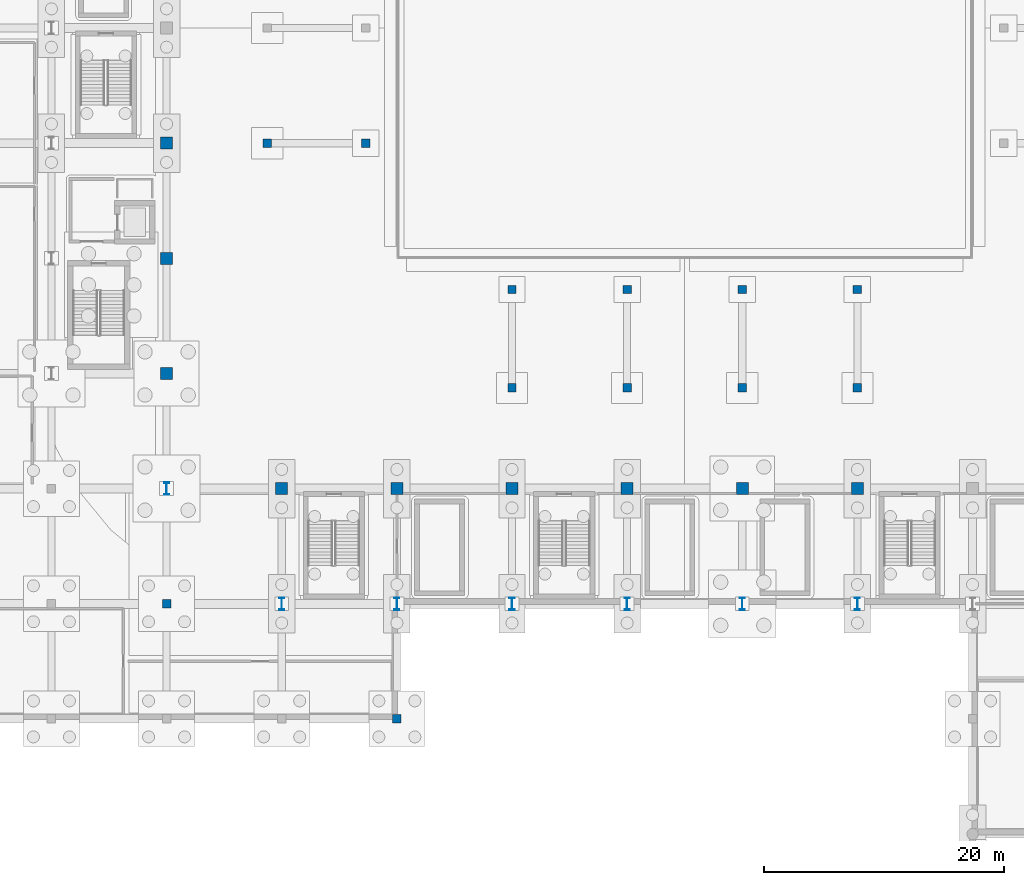
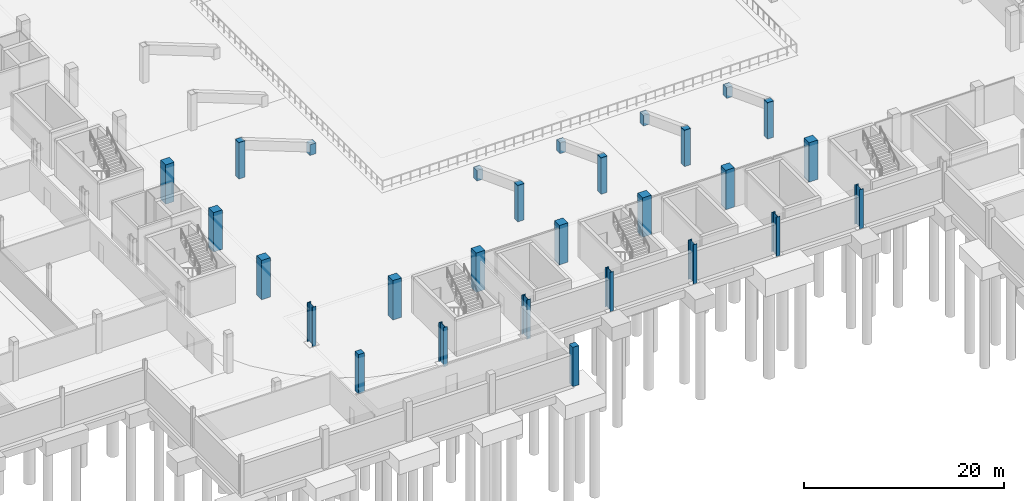
# One storey, part 16 of 67: 28 columns.
"""IFC4 building model written with IfcOpenShell, lengths in metres."""

import ifcopenshell
import ifcopenshell.guid

model = None  # the IFC model being written
_history = None  # IfcOwnerHistory: only IFC2X3 demands one
_inside = {}  # id of a spatial element -> (the spatial element, [elements in it])
_under = {}  # id of a project, library or spatial element -> (it, [spatial elements below it])
_declared = {}  # id of a project -> (the project, [libraries it declares])
_typed = {}  # id of a type object -> (the type object, [elements of that type])
_made_of = {}  # id of a material, layer set ... -> (it, [elements and type objects made of it])


def new_model(schema):
    """Start an empty IFC model of exactly this schema.

    Asked for "IFC4X3", IfcOpenShell would pick the latest addendum, in which some entities
    have other attributes; the version numbers below select the first issue.
    IFC2X3 requires an IfcOwnerHistory on every rooted entity: one is made here for all.
    """
    global model, _history
    if schema == "IFC4X3":
        model = ifcopenshell.file(schema_version=(4, 3, 0, 0))
    else:
        model = ifcopenshell.file(schema=schema)
    _inside.clear()
    _under.clear()
    _declared.clear()
    _typed.clear()
    _made_of.clear()
    _history = None
    if model.schema == "IFC2X3":
        org = make("IfcOrganization", Name="unknown")
        user = make(
            "IfcPersonAndOrganization",
            ThePerson=make("IfcPerson", FamilyName="unknown"),
            TheOrganization=org,
        )
        app = make(
            "IfcApplication",
            ApplicationDeveloper=org,
            Version="unknown",
            ApplicationFullName="unknown",
            ApplicationIdentifier="unknown",
        )
        _history = make(
            "IfcOwnerHistory",
            OwningUser=user,
            OwningApplication=app,
            ChangeAction="ADDED",
            CreationDate=0,
        )
    return model


def make(cls, **values):
    """One entity of the class cls with the attributes given. An attribute that is None is left unset."""
    return model.create_entity(
        cls, **{name: value for name, value in values.items() if value is not None}
    )


def rooted(cls, **values):
    """An entity with a GlobalId (a new one), such as an element, a storey or a relation."""
    return make(cls, GlobalId=ifcopenshell.guid.new(), OwnerHistory=_history, **values)


def si_unit(unit_type, name, prefix=None):
    """IfcSIUnit, for example si_unit("LENGTHUNIT", "METRE", prefix="MILLI")."""
    return make("IfcSIUnit", UnitType=unit_type, Prefix=prefix, Name=name)


def assignment(units):
    """IfcUnitAssignment: the units of a project."""
    return None if units is None else make("IfcUnitAssignment", Units=units)


def point(xyz):
    """IfcCartesianPoint."""
    return None if xyz is None else make("IfcCartesianPoint", Coordinates=xyz)


def direction(xyz):
    """IfcDirection."""
    return None if xyz is None else make("IfcDirection", DirectionRatios=xyz)


def frame(location, z_axis=None, x_axis=None):
    """IfcAxis2Placement3D, a coordinate frame: its origin and axes. An axis left out is left unset."""
    return make(
        "IfcAxis2Placement3D",
        Location=point(location),
        Axis=direction(z_axis),
        RefDirection=direction(x_axis),
    )


def frame_2d(location, x_axis=None):
    """IfcAxis2Placement2D, a coordinate frame in the plane: its origin and x axis."""
    return make(
        "IfcAxis2Placement2D", Location=point(location), RefDirection=direction(x_axis)
    )


def origin():
    """The frame at (0, 0, 0) with its axes left unset."""
    return frame((0.0, 0.0, 0.0))


def origin_2d():
    """The frame at (0, 0) in the plane with its x axis left unset."""
    return frame_2d((0.0, 0.0))


def place(relative_to, where):
    """IfcLocalPlacement: puts the frame where relative to a parent placement (None: the world)."""
    return make(
        "IfcLocalPlacement", PlacementRelTo=relative_to, RelativePlacement=where
    )


def context(
    kind, dimensions, precision=None, world=None, true_north=None, identifier=None
):
    """IfcGeometricRepresentationContext, for example the 3D "Model" context."""
    return make(
        "IfcGeometricRepresentationContext",
        ContextIdentifier=identifier,
        ContextType=kind,
        CoordinateSpaceDimension=dimensions,
        Precision=precision,
        WorldCoordinateSystem=world,
        TrueNorth=true_north,
    )


def subcontext(parent, identifier, kind, view, scale=None):
    """IfcGeometricRepresentationSubContext, for example "Body" below "Model"."""
    return make(
        "IfcGeometricRepresentationSubContext",
        ContextIdentifier=identifier,
        ContextType=kind,
        ParentContext=parent,
        TargetScale=scale,
        TargetView=view,
    )


def project(units=None, contexts=None):
    """IfcProject with its units and contexts."""
    return rooted(
        "IfcProject",
        Name="project",
        RepresentationContexts=contexts,
        UnitsInContext=assignment(units),
    )


def spatial(cls, under=None, at=None, **own):
    """A site, building, storey or space (cls), placed at a placement, below another one or the project."""
    s = rooted(cls, ObjectPlacement=at, **own)
    if under is not None:
        _under.setdefault(under.id(), (under, []))[1].append(s)
    return s


def profile(cls, at=None, kind="AREA", **sizes):
    """A parametric profile (cls). Its sizes go by their IFC names, for example OverallWidth=200.0."""
    return make(cls, ProfileType=kind, Position=at, **sizes)


def rectangle(**sizes):
    """IfcRectangleProfileDef."""
    return profile("IfcRectangleProfileDef", **sizes)


def i_section(**sizes):
    """IfcIShapeProfileDef."""
    return profile("IfcIShapeProfileDef", **sizes)


def extrude(swept, where, along, depth):
    """IfcExtrudedAreaSolid: the profile swept, set in the frame where, extruded along a direction by depth."""
    return make(
        "IfcExtrudedAreaSolid",
        SweptArea=swept,
        Position=where,
        ExtrudedDirection=direction(along),
        Depth=depth,
    )


def shape(context_of_items, identifier, shape_type, items):
    """IfcShapeRepresentation: the items that make up one representation, for example the "Body"."""
    return make(
        "IfcShapeRepresentation",
        ContextOfItems=context_of_items,
        RepresentationIdentifier=identifier,
        RepresentationType=shape_type,
        Items=items,
    )


def material(Name=None, Category=None):
    """IfcMaterial."""
    return make("IfcMaterial", Name=Name, Category=Category)


def material_profile(
    of_material, cross_section, Name=None, Category=None, Priority=None
):
    """IfcMaterialProfile: a cross section and its material."""
    return make(
        "IfcMaterialProfile",
        Name=Name,
        Material=of_material,
        Profile=cross_section,
        Priority=Priority,
        Category=Category,
    )


def profile_set(profiles, Name=None, composite=None):
    """IfcMaterialProfileSet."""
    return make(
        "IfcMaterialProfileSet",
        Name=Name,
        MaterialProfiles=profiles,
        CompositeProfile=composite,
    )


def made_of(thing, what):
    """Note that an element or type object is made of a material, layer set ...; save() writes the relation."""
    if what is not None:
        _made_of.setdefault(what.id(), (what, []))[1].append(thing)
    return thing


def type_object(cls, material=None, **own):
    """A type object (cls), such as IfcWallType, which elements share."""
    return made_of(rooted(cls, **own), material)


def element(
    cls,
    number,
    at=None,
    inside=None,
    cuts=None,
    type_object=None,
    material=None,
    context=None,
    identifier="Body",
    shape_type=None,
    held_by="IfcProductDefinitionShape",
    body=None,
    shapes=None,
    **own,
):
    """One element of the class cls, such as IfcWall. Its Tag is "e" and its number.

    at: its placement. inside: the storey or other place that contains it. cuts: it is an
    opening in that element (IfcRelVoidsElement). A single representation is given by context,
    identifier, shape_type and body (its items); several are given by shapes. held_by: the class
    of the entity that holds the representations. save() writes the other relations.
    """
    e = rooted(cls, Tag="e%d" % number, ObjectPlacement=at, **own)
    if body is not None:
        shapes = [shape(context, identifier, shape_type, body)]
    if shapes is not None:
        e.Representation = make(held_by, Representations=shapes)
    if inside is not None:
        _inside.setdefault(inside.id(), (inside, []))[1].append(e)
    if cuts is not None:
        rooted(
            "IfcRelVoidsElement", RelatingBuildingElement=cuts, RelatedOpeningElement=e
        )
    if type_object is not None:
        _typed.setdefault(type_object.id(), (type_object, []))[1].append(e)
    return made_of(e, material)


def aggregate(whole, parts):
    """IfcRelAggregates: a whole, such as a stair, and the parts it consists of."""
    return rooted("IfcRelAggregates", RelatingObject=whole, RelatedObjects=parts)


def save(model, path):
    """Write the relations noted so far, then the file.

    IfcRelAggregates (storeys below a building ...), IfcRelContainedInSpatialStructure (elements
    in a storey), IfcRelDefinesByType, IfcRelAssociatesMaterial and IfcRelDeclares: one each for
    every whole, place, type object, material and project.
    """
    for whole, parts in _under.values():
        aggregate(whole, parts)
    for where, things in _inside.values():
        rooted(
            "IfcRelContainedInSpatialStructure",
            RelatedElements=things,
            RelatingStructure=where,
        )
    for kind, things in _typed.values():
        rooted("IfcRelDefinesByType", RelatedObjects=things, RelatingType=kind)
    for what, things in _made_of.values():
        rooted("IfcRelAssociatesMaterial", RelatedObjects=things, RelatingMaterial=what)
    for by, libraries in _declared.values():
        rooted("IfcRelDeclares", RelatingContext=by, RelatedDefinitions=libraries)
    model.write(path)


model = new_model("IFC4")

# Units and contexts
model_context = context("Model", 3, precision=1e-05, world=origin(), true_north=direction((0.0, 1.0)))
body_context = subcontext(model_context, "Body", "Model", "MODEL_VIEW")
ifc_project = project(units=[si_unit("LENGTHUNIT", "METRE"), si_unit("AREAUNIT", "SQUARE_METRE"), si_unit("VOLUMEUNIT", "CUBIC_METRE"), si_unit("PLANEANGLEUNIT", "RADIAN"), si_unit("MASSUNIT", "GRAM", prefix="KILO")], contexts=[model_context])

# Site, building, storey
site_placement = place(None, origin())
site = spatial("IfcSite", under=ifc_project, at=site_placement, CompositionType="ELEMENT")
building_placement = place(site_placement, origin())
building = spatial("IfcBuilding", under=site, at=building_placement, Name="Caelomonte Colonnade Arena", CompositionType="ELEMENT")
storey_placement = place(building_placement, frame((0.0, 0.0, -4.800048828125)))
storey = spatial("IfcBuildingStorey", under=building, at=storey_placement, Name="B1", CompositionType="ELEMENT", Elevation=-4.800048828125)

# Columns
ifc_material_1 = material(Name="Concrete C40/50", Category="concrete")
ifc_material_profile_1 = material_profile(ifc_material_1, rectangle(XDim=0.699951171875, YDim=0.699951171875, at=origin_2d()), Name="RC700X700")
ifc_profile_set_1 = profile_set([ifc_material_profile_1], Name="Concrete C40/50")
column_type_1 = type_object("IfcColumnType", Name="STR-COL-RC07", PredefinedType="COLUMN", material=ifc_profile_set_1)
for number, where, z_axis, x_axis, name in (
    (1, (67.199951171875, 19.199951171875, 0.0), (0.0, 0.0, 1.0), (1.0, 0.0, 0.0), "B1 column (67.2, 19.2)"),
    (2, (86.39990234375, 9.60009765625, 0.0), (0.0, 0.0, 1.0), (1.0, 0.0, 0.0), "B1 column (86.4, 9.6)"),
):
    element("IfcColumn", number, at=place(storey_placement, frame(where, z_axis=z_axis, x_axis=x_axis)), inside=storey, type_object=column_type_1, Name=name, PredefinedType="COLUMN", context=body_context, shape_type="SweptSolid", body=[
        extrude(rectangle(XDim=0.699951171875, YDim=0.699951171875, at=origin_2d()), origin(), (0.0, 0.0, 1.0), 4.800048828125),
    ])
column_1_placement = place(storey_placement, frame((96.0, 45.39990234375, 0.0), z_axis=(0.0, 0.0, 1.0), x_axis=(1.0, 0.0, 0.0)))
element("IfcColumn", 3, at=column_1_placement, inside=storey, type_object=column_type_1, Name="Lower raker inner pier S-96", PredefinedType="COLUMN", context=body_context, shape_type="SweptSolid", body=[
    extrude(rectangle(XDim=0.699951171875, YDim=0.699951171875, at=origin_2d()), origin(), (0.0, 0.0, 1.0), 1.300048828125),
])
column_2_placement = place(storey_placement, frame((96.0, 37.199951171875, 0.0), z_axis=(0.0, 0.0, 1.0), x_axis=(1.0, 0.0, 0.0)))
element("IfcColumn", 4, at=column_2_placement, inside=storey, type_object=column_type_1, Name="Lower raker mid pier S-96", PredefinedType="COLUMN", context=body_context, shape_type="SweptSolid", body=[
    extrude(rectangle(XDim=0.699951171875, YDim=0.699951171875, at=origin_2d()), origin(), (0.0, 0.0, 1.0), 4.449951171875),
])
column_3_placement = place(storey_placement, frame((105.60009765625, 45.39990234375, 0.0), z_axis=(0.0, 0.0, 1.0), x_axis=(1.0, 0.0, 0.0)))
element("IfcColumn", 5, at=column_3_placement, inside=storey, type_object=column_type_1, Name="Lower raker inner pier S-105", PredefinedType="COLUMN", context=body_context, shape_type="SweptSolid", body=[
    extrude(rectangle(XDim=0.699951171875, YDim=0.699951171875, at=origin_2d()), origin(), (0.0, 0.0, 1.0), 1.300048828125),
])
column_4_placement = place(storey_placement, frame((105.60009765625, 37.199951171875, 0.0), z_axis=(0.0, 0.0, 1.0), x_axis=(1.0, 0.0, 0.0)))
element("IfcColumn", 6, at=column_4_placement, inside=storey, type_object=column_type_1, Name="Lower raker mid pier S-105", PredefinedType="COLUMN", context=body_context, shape_type="SweptSolid", body=[
    extrude(rectangle(XDim=0.699951171875, YDim=0.699951171875, at=origin_2d()), origin(), (0.0, 0.0, 1.0), 4.449951171875),
])
column_5_placement = place(storey_placement, frame((115.199951171875, 45.39990234375, 0.0), z_axis=(0.0, 0.0, 1.0), x_axis=(1.0, 0.0, 0.0)))
element("IfcColumn", 7, at=column_5_placement, inside=storey, type_object=column_type_1, Name="Lower raker inner pier S-115", PredefinedType="COLUMN", context=body_context, shape_type="SweptSolid", body=[
    extrude(rectangle(XDim=0.699951171875, YDim=0.699951171875, at=origin_2d()), origin(), (0.0, 0.0, 1.0), 1.300048828125),
])
column_6_placement = place(storey_placement, frame((115.199951171875, 37.199951171875, 0.0), z_axis=(0.0, 0.0, 1.0), x_axis=(1.0, 0.0, 0.0)))
element("IfcColumn", 8, at=column_6_placement, inside=storey, type_object=column_type_1, Name="Lower raker mid pier S-115", PredefinedType="COLUMN", context=body_context, shape_type="SweptSolid", body=[
    extrude(rectangle(XDim=0.699951171875, YDim=0.699951171875, at=origin_2d()), origin(), (0.0, 0.0, 1.0), 4.449951171875),
])
column_7_placement = place(storey_placement, frame((124.800048828125, 45.39990234375, 0.0), z_axis=(0.0, 0.0, 1.0), x_axis=(1.0, 0.0, 0.0)))
element("IfcColumn", 9, at=column_7_placement, inside=storey, type_object=column_type_1, Name="Lower raker inner pier S-124", PredefinedType="COLUMN", context=body_context, shape_type="SweptSolid", body=[
    extrude(rectangle(XDim=0.699951171875, YDim=0.699951171875, at=origin_2d()), origin(), (0.0, 0.0, 1.0), 1.300048828125),
])
column_8_placement = place(storey_placement, frame((124.800048828125, 37.199951171875, 0.0), z_axis=(0.0, 0.0, 1.0), x_axis=(1.0, 0.0, 0.0)))
element("IfcColumn", 10, at=column_8_placement, inside=storey, type_object=column_type_1, Name="Lower raker mid pier S-124", PredefinedType="COLUMN", context=body_context, shape_type="SweptSolid", body=[
    extrude(rectangle(XDim=0.699951171875, YDim=0.699951171875, at=origin_2d()), origin(), (0.0, 0.0, 1.0), 4.449951171875),
])
column_9_placement = place(storey_placement, frame((83.800048828125, 57.60009765625, 0.0), z_axis=(0.0, 0.0, 1.0), x_axis=(1.0, 0.0, 0.0)))
element("IfcColumn", 11, at=column_9_placement, inside=storey, type_object=column_type_1, Name="Lower raker inner pier W-57", PredefinedType="COLUMN", context=body_context, shape_type="SweptSolid", body=[
    extrude(rectangle(XDim=0.699951171875, YDim=0.699951171875, at=origin_2d()), origin(), (0.0, 0.0, 1.0), 1.300048828125),
])
column_10_placement = place(storey_placement, frame((75.60009765625, 57.60009765625, 0.0), z_axis=(0.0, 0.0, 1.0), x_axis=(1.0, 0.0, 0.0)))
element("IfcColumn", 12, at=column_10_placement, inside=storey, type_object=column_type_1, Name="Lower raker mid pier W-57", PredefinedType="COLUMN", context=body_context, shape_type="SweptSolid", body=[
    extrude(rectangle(XDim=0.699951171875, YDim=0.699951171875, at=origin_2d()), origin(), (0.0, 0.0, 1.0), 4.449951171875),
])
ifc_material_2 = material(Name="Concrete C50/60", Category="concrete")
ifc_material_profile_2 = material_profile(ifc_material_2, rectangle(XDim=1.0, YDim=1.0, at=origin_2d()), Name="RC1000X1000")
ifc_profile_set_2 = profile_set([ifc_material_profile_2], Name="Concrete C50/60")
column_type_2 = type_object("IfcColumnType", Name="STR-COL-RC10", PredefinedType="COLUMN", material=ifc_profile_set_2)
for number, where, z_axis, x_axis, name in (
    (13, (67.199951171875, 38.39990234375, 0.0), (0.0, 0.0, 1.0), (1.0, 0.0, 0.0), "B1 column (67.2, 38.4)"),
    (14, (67.199951171875, 48.0, 0.0), (0.0, 0.0, 1.0), (1.0, 0.0, 0.0), "B1 column (67.2, 48.0)"),
    (15, (67.199951171875, 57.60009765625, 0.0), (0.0, 0.0, 1.0), (1.0, 0.0, 0.0), "B1 column (67.2, 57.6)"),
    (16, (76.800048828125, 28.800048828125, 0.0), (0.0, 0.0, 1.0), (1.0, 0.0, 0.0), "B1 column (76.8, 28.8)"),
    (17, (86.39990234375, 28.800048828125, 0.0), (0.0, 0.0, 1.0), (1.0, 0.0, 0.0), "B1 column (86.4, 28.8)"),
    (18, (96.0, 28.800048828125, 0.0), (0.0, 0.0, 1.0), (1.0, 0.0, 0.0), "B1 column (96.0, 28.8)"),
    (19, (105.60009765625, 28.800048828125, 0.0), (0.0, 0.0, 1.0), (1.0, 0.0, 0.0), "B1 column (105.6, 28.8)"),
    (20, (115.199951171875, 28.800048828125, 0.0), (0.0, 0.0, 1.0), (1.0, 0.0, 0.0), "B1 column (115.2, 28.8)"),
    (21, (124.800048828125, 28.800048828125, 0.0), (0.0, 0.0, 1.0), (1.0, 0.0, 0.0), "B1 column (124.8, 28.8)"),
):
    element("IfcColumn", number, at=place(storey_placement, frame(where, z_axis=z_axis, x_axis=x_axis)), inside=storey, type_object=column_type_2, Name=name, PredefinedType="COLUMN", context=body_context, shape_type="SweptSolid", body=[
        extrude(rectangle(XDim=1.0, YDim=1.0, at=origin_2d()), origin(), (0.0, 0.0, 1.0), 4.800048828125),
    ])
ifc_material_3 = material(Name="Wide-flange steel ASTM A992 Grade 50", Category="steel")
ifc_material_profile_3 = material_profile(ifc_material_3, i_section(OverallWidth=0.427001953125, OverallDepth=1.04150390625, WebThickness=0.031005859375, FlangeThickness=0.055908203125, FilletRadius=0.030517578125, at=origin_2d()), Name="W40X397")
ifc_profile_set_3 = profile_set([ifc_material_profile_3], Name="Wide-flange steel ASTM A992 Grade 50")
column_type_3 = type_object("IfcColumnType", Name="STR-COL-W40A", PredefinedType="COLUMN", material=ifc_profile_set_3)
for number, where, z_axis, x_axis, name in (
    (22, (67.199951171875, 28.800048828125, 0.0), (0.0, 0.0, 1.0), (1.0, 0.0, 0.0), "B1 column (67.2, 28.8)"),
    (23, (76.800048828125, 19.199951171875, 0.0), (0.0, 0.0, 1.0), (1.0, 0.0, 0.0), "B1 column (76.8, 19.2)"),
    (24, (86.39990234375, 19.199951171875, 0.0), (0.0, 0.0, 1.0), (1.0, 0.0, 0.0), "B1 column (86.4, 19.2)"),
    (25, (96.0, 19.199951171875, 0.0), (0.0, 0.0, 1.0), (1.0, 0.0, 0.0), "B1 column (96.0, 19.2)"),
    (26, (105.60009765625, 19.199951171875, 0.0), (0.0, 0.0, 1.0), (1.0, 0.0, 0.0), "B1 column (105.6, 19.2)"),
    (27, (115.199951171875, 19.199951171875, 0.0), (0.0, 0.0, 1.0), (1.0, 0.0, 0.0), "B1 column (115.2, 19.2)"),
    (28, (124.800048828125, 19.199951171875, 0.0), (0.0, 0.0, 1.0), (1.0, 0.0, 0.0), "B1 column (124.8, 19.2)"),
):
    element("IfcColumn", number, at=place(storey_placement, frame(where, z_axis=z_axis, x_axis=x_axis)), inside=storey, type_object=column_type_3, Name=name, PredefinedType="COLUMN", context=body_context, shape_type="SweptSolid", body=[
        extrude(i_section(OverallWidth=0.427001953125, OverallDepth=1.04150390625, WebThickness=0.031005859375, FlangeThickness=0.055908203125, FilletRadius=0.030517578125, at=origin_2d()), origin(), (0.0, 0.0, 1.0), 4.800048828125),
    ])

save(model, "model.ifc")
